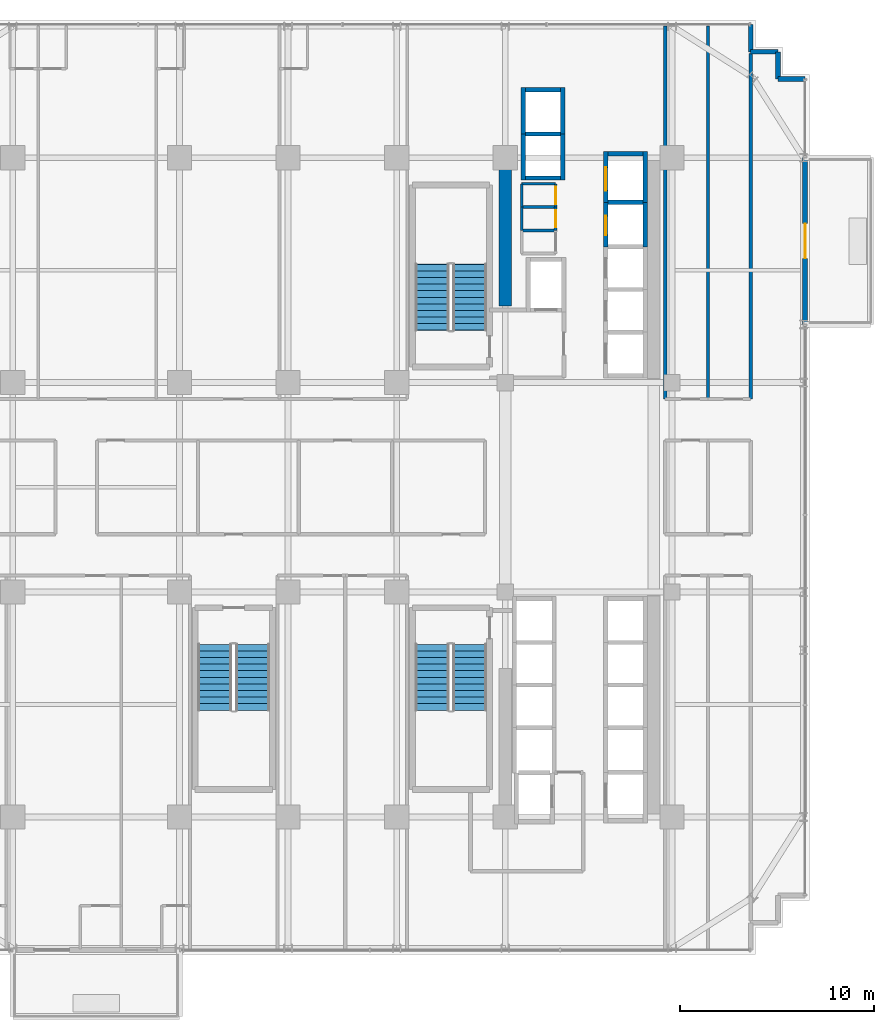
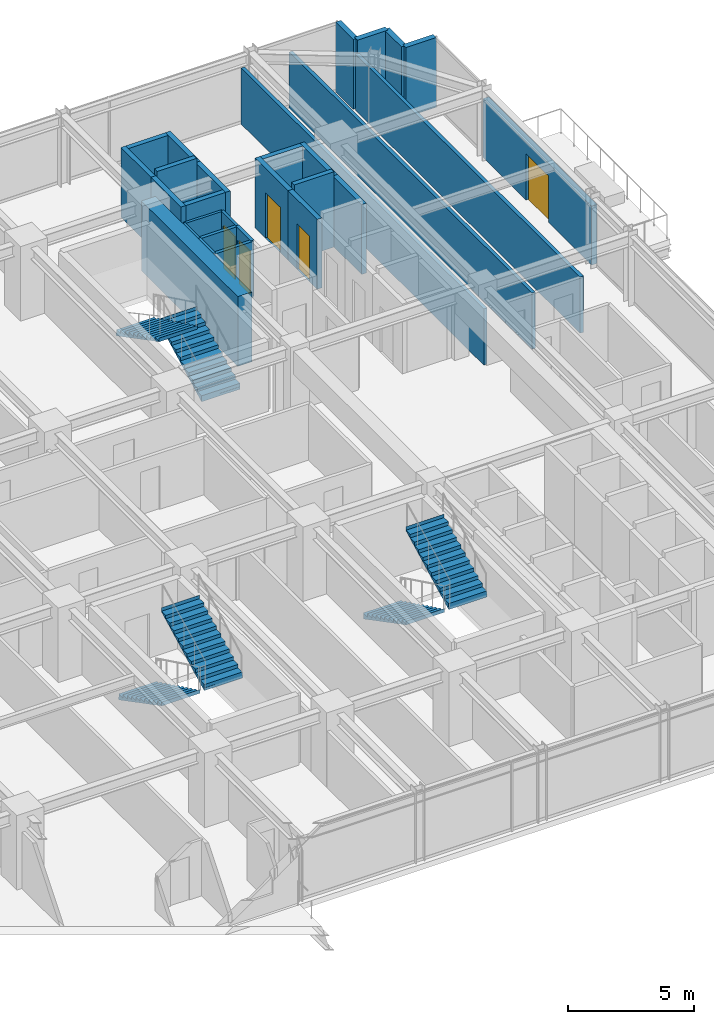
# One storey, part 30 of 33: 29 walls, 6 stair flights, 5 doors, 5 openings, 3 elements without a shape of their own.
"""IFC4 building model written with IfcOpenShell, lengths in metres."""

from ifc_helpers import new_model, si_unit, direction, frame, frame_2d, origin, place, context, subcontext, project, spatial, polyline, rectangle, outline, extrude, source, transform, mapped, material, layer, layer_set, type_object, element, fill, aggregate, save


model = new_model("IFC4")

# Units and contexts
model_context = context("Model", 3, precision=1e-05, world=origin(), true_north=direction((0.0, 1.0)))
body_context = subcontext(model_context, "Body", "Model", "MODEL_VIEW")
ifc_project = project(units=[si_unit("LENGTHUNIT", "METRE"), si_unit("AREAUNIT", "SQUARE_METRE"), si_unit("VOLUMEUNIT", "CUBIC_METRE"), si_unit("PLANEANGLEUNIT", "RADIAN"), si_unit("MASSUNIT", "GRAM", prefix="KILO")], contexts=[model_context])

# Site, building, storey
site_placement = place(None, origin())
site = spatial("IfcSite", under=ifc_project, at=site_placement, CompositionType="ELEMENT")
building_placement = place(site_placement, origin())
building = spatial("IfcBuilding", under=site, at=building_placement, Name="Nahalor Promenade Grand Hotel", CompositionType="ELEMENT")
storey_placement = place(building_placement, frame((0.0, 0.0, 132.10009765625)))
storey = spatial("IfcBuildingStorey", under=building, at=storey_placement, Name="L33", CompositionType="ELEMENT", Elevation=132.10009765625)

# Walls
ifc_material_1 = material(Name="Concrete B-60 (C50/60)", Category="concrete")
ifc_layer_1 = layer(ifc_material_1, 0.64990234375)
ifc_layer_set_1 = layer_set([ifc_layer_1], Name="Concrete B-60 (C50/60)")
wall_type_1 = type_object("IfcWallType", Name="Wall-CoreShear-650", PredefinedType="SHEAR", material=ifc_layer_set_1)
shared_shape_1 = source(origin(), body_context, "Body", "SweptSolid", [
    extrude(rectangle(XDim=7.64990234375, YDim=0.64990234375, at=frame_2d((3.824951171875, 0.0))), origin(), (0.0, 0.0, 1.0), 3.3798828125),
])
wall_1_placement = place(storey_placement, frame((8.39990234375, 9.35009765625, 0.0), z_axis=(0.0, 0.0, 1.0), x_axis=(0.0, 1.0, 0.0)))
element("IfcWall", 1, at=wall_1_placement, inside=storey, type_object=wall_type_1, Name="CWALL-L33-NW", PredefinedType="SHEAR", context=body_context, shape_type="MappedRepresentation", body=[
    mapped(shared_shape_1, transform((0.0, 0.0, 0.0), scale=1.0)),
])
ifc_material_2 = material(Name="Concrete B-50 (C40/50)", Category="concrete")
ifc_layer_2 = layer(ifc_material_2, 0.219970703125)
ifc_layer_set_2 = layer_set([ifc_layer_2], Name="Concrete B-50 (C40/50)")
wall_type_2 = type_object("IfcWallType", Name="Wall-LiftShaft-220", PredefinedType="SHEAR", material=ifc_layer_set_2)
shared_shape_2 = source(origin(), body_context, "Body", "SweptSolid", [
    extrude(rectangle(XDim=1.820068359375, YDim=0.219970703125, at=frame_2d((0.91015625, 0.0))), origin(), (0.0, 0.0, 1.0), 3.64990234375),
])
for number, where, z_axis, x_axis, name in (
    (2, (13.68994140625, 14.699951171875, 0.0), (0.0, 0.0, 1.0), (1.0, 0.0, 0.0), "L33 Lift PL4 Hoistway Wall N"),
    (3, (9.43994140625, 18.22509765625, 0.0), (0.0, 0.0, 1.0), (1.0, 0.0, 0.0), "L33 Lift OB1 Hoistway Wall N"),
):
    element("IfcWall", number, at=place(storey_placement, frame(where, z_axis=z_axis, x_axis=x_axis)), inside=storey, type_object=wall_type_2, Name=name, PredefinedType="SHEAR", context=body_context, shape_type="MappedRepresentation", body=[
        mapped(shared_shape_2, transform((0.0, 0.0, 0.0), scale=1.0)),
    ])
shared_shape_3 = source(origin(), body_context, "Body", "SweptSolid", [
    extrude(rectangle(XDim=1.820068359375, YDim=0.219970703125, at=frame_2d((0.91015625, 0.0))), origin(), (0.0, 0.0, 1.0), 3.3798828125),
])
for number, where, z_axis, x_axis, name in (
    (4, (9.43994140625, 15.949951171875, 0.0), (0.0, 0.0, 1.0), (1.0, 0.0, 0.0), "L33 Lift OB1 Hoistway Wall S"),
    (5, (9.43994140625, 20.5, 0.0), (0.0, 0.0, 1.0), (1.0, 0.0, 0.0), "L33 Lift OB2 Hoistway Wall N"),
    (6, (13.68994140625, 17.199951171875, 0.0), (0.0, 0.0, 1.0), (1.0, 0.0, 0.0), "L33 Lift SV1 Hoistway Wall N"),
):
    element("IfcWall", number, at=place(storey_placement, frame(where, z_axis=z_axis, x_axis=x_axis)), inside=storey, type_object=wall_type_2, Name=name, PredefinedType="SHEAR", context=body_context, shape_type="MappedRepresentation", body=[
        mapped(shared_shape_3, transform((0.0, 0.0, 0.0), scale=1.0)),
    ])

# Wall, opening, door
shared_shape_4 = source(origin(), body_context, "Body", "SweptSolid", [
    extrude(rectangle(XDim=2.300048828125, YDim=0.219970703125, at=frame_2d((1.14990234375, 0.0))), origin(), (0.0, 0.0, 1.0), 3.3798828125),
])
wall_2_placement = place(storey_placement, frame((13.580078125, 12.39990234375, 0.0), z_axis=(0.0, 0.0, 1.0), x_axis=(0.0, 1.0, 0.0)))
wall_2 = element("IfcWall", 7, at=wall_2_placement, inside=storey, type_object=wall_type_2, Name="L33 Lift PL4 Hoistway Wall W", PredefinedType="SHEAR", context=body_context, shape_type="MappedRepresentation", body=[
    mapped(shared_shape_4, transform((0.0, 0.0, 0.0), scale=1.0)),
])
opening_1_placement = place(wall_2_placement, frame((0.60009765625, 0.0, 0.0)))
opening_1 = element("IfcOpeningElement", 8, at=opening_1_placement, cuts=wall_2, Name="Opening LD-01", PredefinedType="OPENING", context=body_context, shape_type="SweptSolid", body=[
    extrude(rectangle(XDim=1.0, YDim=2.199951171875, at=frame_2d((0.5, 1.10009765625))), frame((0.0, 0.119873046875, 0.0), z_axis=(0.0, -1.0, 0.0), x_axis=(1.0, 0.0, 0.0)), (0.0, 0.0, 1.0), 0.239990234375),
])
ifc_material_3 = material(Name="Steel S355JR", Category="steel")
door_type_1 = type_object("IfcDoorType", Name="Door-LiftLanding-1000", OperationType="DOUBLE_DOOR_SLIDING", PredefinedType="DOOR", material=ifc_material_3)
shared_shape_5 = source(origin(), body_context, "Body", "SweptSolid", [
    extrude(rectangle(XDim=1.0, YDim=2.199951171875, at=frame_2d((0.5, 1.10009765625))), frame((0.0, 0.02490234375, 0.0), z_axis=(0.0, -1.0, 0.0), x_axis=(1.0, 0.0, 0.0)), (0.0, 0.0, 1.0), 0.050048828125),
])
door_1_placement = place(opening_1_placement, origin())
door_1 = element("IfcDoor", 9, at=door_1_placement, inside=storey, type_object=door_type_1, Name="DR-LIFT-PL4-L33", OperationType="DOUBLE_DOOR_SLIDING", OverallHeight=2.199951171875, OverallWidth=1.0, PredefinedType="DOOR", context=body_context, shape_type="MappedRepresentation", body=[
    mapped(shared_shape_5, transform((0.0, 0.0, 0.0), scale=1.0)),
])
fill(opening_1, door_1)

# Walls
wall_3_placement = place(storey_placement, frame((15.6201171875, 12.39990234375, 0.0), z_axis=(0.0, 0.0, 1.0), x_axis=(0.0, 1.0, 0.0)))
element("IfcWall", 10, at=wall_3_placement, inside=storey, type_object=wall_type_2, Name="L33 Lift PL4 Hoistway Wall E", PredefinedType="SHEAR", context=body_context, shape_type="MappedRepresentation", body=[
    mapped(shared_shape_4, transform((0.0, 0.0, 0.0), scale=1.0)),
])
shared_shape_6 = source(origin(), body_context, "Body", "SweptSolid", [
    extrude(rectangle(XDim=2.385009765625, YDim=0.219970703125, at=frame_2d((1.1923828125, 0.0))), origin(), (0.0, 0.0, 1.0), 3.3798828125),
])
for number, where, z_axis, x_axis, name in (
    (11, (9.330078125, 15.840087890625, 0.0), (0.0, 0.0, 1.0), (0.0, 1.0, 0.0), "L33 Lift OB1 Hoistway Wall W"),
    (12, (11.3701171875, 15.840087890625, 0.0), (0.0, 0.0, 1.0), (0.0, 1.0, 0.0), "L33 Lift OB1 Hoistway Wall E"),
    (13, (9.330078125, 18.22509765625, 0.0), (0.0, 0.0, 1.0), (0.0, 1.0, 0.0), "L33 Lift OB2 Hoistway Wall W"),
    (14, (11.3701171875, 18.22509765625, 0.0), (0.0, 0.0, 1.0), (0.0, 1.0, 0.0), "L33 Lift OB2 Hoistway Wall E"),
):
    element("IfcWall", number, at=place(storey_placement, frame(where, z_axis=z_axis, x_axis=x_axis)), inside=storey, type_object=wall_type_2, Name=name, PredefinedType="SHEAR", context=body_context, shape_type="MappedRepresentation", body=[
        mapped(shared_shape_6, transform((0.0, 0.0, 0.0), scale=1.0)),
    ])

# Wall, opening, door
shared_shape_7 = source(origin(), body_context, "Body", "SweptSolid", [
    extrude(rectangle(XDim=2.610107421875, YDim=0.219970703125, at=frame_2d((1.30517578125, 0.0))), origin(), (0.0, 0.0, 1.0), 3.3798828125),
])
wall_4_placement = place(storey_placement, frame((13.580078125, 14.699951171875, 0.0), z_axis=(0.0, 0.0, 1.0), x_axis=(0.0, 1.0, 0.0)))
wall_4 = element("IfcWall", 15, at=wall_4_placement, inside=storey, type_object=wall_type_2, Name="L33 Lift SV1 Hoistway Wall W", PredefinedType="SHEAR", context=body_context, shape_type="MappedRepresentation", body=[
    mapped(shared_shape_7, transform((0.0, 0.0, 0.0), scale=1.0)),
])
opening_2_placement = place(wall_4_placement, frame((0.60009765625, 0.0, 0.0)))
opening_2 = element("IfcOpeningElement", 16, at=opening_2_placement, cuts=wall_4, Name="Opening LD-03", PredefinedType="OPENING", context=body_context, shape_type="SweptSolid", body=[
    extrude(rectangle(XDim=1.199951171875, YDim=2.199951171875, at=frame_2d((0.60009765625, 1.10009765625))), frame((0.0, 0.119873046875, 0.0), z_axis=(0.0, -1.0, 0.0), x_axis=(1.0, 0.0, 0.0)), (0.0, 0.0, 1.0), 0.239990234375),
])
door_type_2 = type_object("IfcDoorType", Name="Door-LiftService-1200", OperationType="DOUBLE_DOOR_SLIDING", PredefinedType="DOOR", material=ifc_material_3)
shared_shape_8 = source(origin(), body_context, "Body", "SweptSolid", [
    extrude(rectangle(XDim=1.199951171875, YDim=2.199951171875, at=frame_2d((0.60009765625, 1.10009765625))), frame((0.0, 0.02490234375, 0.0), z_axis=(0.0, -1.0, 0.0), x_axis=(1.0, 0.0, 0.0)), (0.0, 0.0, 1.0), 0.050048828125),
])
door_2_placement = place(opening_2_placement, origin())
door_2 = element("IfcDoor", 17, at=door_2_placement, inside=storey, type_object=door_type_2, Name="DR-LIFT-SV1-L33", OperationType="DOUBLE_DOOR_SLIDING", OverallHeight=2.199951171875, OverallWidth=1.199951171875, PredefinedType="DOOR", context=body_context, shape_type="MappedRepresentation", body=[
    mapped(shared_shape_8, transform((0.0, 0.0, 0.0), scale=1.0)),
])
fill(opening_2, door_2)

# Walls
wall_5_placement = place(storey_placement, frame((15.6201171875, 14.699951171875, 0.0), z_axis=(0.0, 0.0, 1.0), x_axis=(0.0, 1.0, 0.0)))
element("IfcWall", 18, at=wall_5_placement, inside=storey, type_object=wall_type_2, Name="L33 Lift SV1 Hoistway Wall E", PredefinedType="SHEAR", context=body_context, shape_type="MappedRepresentation", body=[
    mapped(shared_shape_7, transform((0.0, 0.0, 0.0), scale=1.0)),
])
ifc_material_4 = material(Name="Concrete B-40 (C32/40)", Category="concrete")
ifc_layer_3 = layer(ifc_material_4, 0.25)
ifc_layer_set_3 = layer_set([ifc_layer_3], Name="Concrete B-40 (C32/40)")
wall_type_3 = type_object("IfcWallType", Name="Wall-BronzePier-250", PredefinedType="STANDARD", material=ifc_layer_set_3)
shared_shape_9 = source(origin(), body_context, "Body", "SweptSolid", [
    extrude(rectangle(XDim=1.400146484375, YDim=0.25, at=frame_2d((0.7001953125, 0.0))), origin(), (0.0, 0.0, 1.0), 3.3798828125),
])
for number, where, z_axis, x_axis, name in (
    (19, (22.4599609375, 21.06005859375, 0.0), (0.0, 0.0, 1.0), (1.0, 0.0, 0.0), "W-L33-SR-05"),
    (20, (21.06005859375, 22.4599609375, 0.0), (0.0, 0.0, 1.0), (0.0, 1.0, 0.0), "W-L33-SR-08"),
):
    element("IfcWall", number, at=place(storey_placement, frame(where, z_axis=z_axis, x_axis=x_axis)), inside=storey, type_object=wall_type_3, Name=name, PredefinedType="STANDARD", context=body_context, shape_type="MappedRepresentation", body=[
        mapped(shared_shape_9, transform((0.0, 0.0, 0.0), scale=1.0)),
    ])
shared_shape_10 = source(origin(), body_context, "Body", "SweptSolid", [
    extrude(rectangle(XDim=1.39990234375, YDim=0.25, at=frame_2d((0.699951171875, 0.0))), origin(), (0.0, 0.0, 1.0), 3.3798828125),
])
for number, where, z_axis, x_axis, name in (
    (21, (22.4599609375, 21.06005859375, 0.0), (0.0, 0.0, 1.0), (0.0, 1.0, 0.0), "W-L33-SR-06"),
    (22, (21.06005859375, 22.4599609375, 0.0), (0.0, 0.0, 1.0), (1.0, 0.0, 0.0), "W-L33-SR-07"),
):
    element("IfcWall", number, at=place(storey_placement, frame(where, z_axis=z_axis, x_axis=x_axis)), inside=storey, type_object=wall_type_3, Name=name, PredefinedType="STANDARD", context=body_context, shape_type="MappedRepresentation", body=[
        mapped(shared_shape_10, transform((0.0, 0.0, 0.0), scale=1.0)),
    ])

# Wall, opening, door
ifc_layer_4 = layer(ifc_material_4, 0.260009765625)
ifc_layer_set_4 = layer_set([ifc_layer_4], Name="Concrete B-40 (C32/40)")
wall_type_4 = type_object("IfcWallType", Name="Wall-BalconyWall-260", PredefinedType="STANDARD", material=ifc_layer_set_4)
shared_shape_11 = source(origin(), body_context, "Body", "SweptSolid", [
    extrude(rectangle(XDim=8.60009765625, YDim=0.260009765625, at=frame_2d((4.300048828125, 0.0))), origin(), (0.0, 0.0, 1.0), 2.85986328125),
])
wall_6_placement = place(storey_placement, frame((23.860107421875, 8.39990234375, 0.0), z_axis=(0.0, 0.0, 1.0), x_axis=(0.0, 1.0, 0.0)))
wall_6 = element("IfcWall", 23, at=wall_6_placement, inside=storey, type_object=wall_type_4, Name="W-L33-BALC-E-2", PredefinedType="STANDARD", context=body_context, shape_type="MappedRepresentation", body=[
    mapped(shared_shape_11, transform((0.0, 0.0, 0.0), scale=1.0)),
])
opening_3_placement = place(wall_6_placement, frame((3.39990234375, 0.0, 0.0)))
opening_3 = element("IfcOpeningElement", 24, at=opening_3_placement, cuts=wall_6, Name="Opening D-BC1", PredefinedType="OPENING", context=body_context, shape_type="SweptSolid", body=[
    extrude(rectangle(XDim=1.800048828125, YDim=2.25, at=frame_2d((0.89990234375, 1.125))), frame((0.0, 0.139892578125, 0.0), z_axis=(0.0, -1.0, 0.0), x_axis=(1.0, 0.0, 0.0)), (0.0, 0.0, 1.0), 0.280029296875),
])
ifc_material_5 = material(Name="Anodised Bronze Aluminium EN AW-6063 T6", Category="aluminium")
door_type_3 = type_object("IfcDoorType", Name="Door-BalconySlide-1800", OperationType="DOUBLE_DOOR_SLIDING", PredefinedType="DOOR", material=ifc_material_5)
shared_shape_12 = source(origin(), body_context, "Body", "SweptSolid", [
    extrude(rectangle(XDim=1.800048828125, YDim=2.25, at=frame_2d((0.89990234375, 1.125))), frame((0.0, 0.02490234375, 0.0), z_axis=(0.0, -1.0, 0.0), x_axis=(1.0, 0.0, 0.0)), (0.0, 0.0, 1.0), 0.050048828125),
])
door_3_placement = place(opening_3_placement, frame((1.800048828125, 0.0, 0.0), z_axis=(0.0, 0.0, 1.0), x_axis=(-1.0, 0.0, 0.0)))
door_3 = element("IfcDoor", 25, at=door_3_placement, inside=storey, type_object=door_type_3, Name="DR-L33-BALC-E-2", OperationType="DOUBLE_DOOR_SLIDING", OverallHeight=2.25, OverallWidth=1.800048828125, PredefinedType="DOOR", context=body_context, shape_type="MappedRepresentation", body=[
    mapped(shared_shape_12, transform((0.0, 0.0, 0.0), scale=1.0)),
])
fill(opening_3, door_3)

# Walls
ifc_material_6 = material(Name="Acoustic Mineral Gypsum", Category="gypsum")
ifc_layer_5 = layer(ifc_material_6, 0.14990234375)
ifc_layer_set_5 = layer_set([ifc_layer_5], Name="Acoustic Mineral Gypsum")
wall_type_5 = type_object("IfcWallType", Name="Wall-PartService-150", PredefinedType="PARTITIONING", material=ifc_layer_set_5)
shared_shape_13 = source(origin(), body_context, "Body", "SweptSolid", [
    extrude(rectangle(XDim=1.75, YDim=0.14990234375, at=frame_2d((0.875, 0.0))), origin(), (0.0, 0.0, 1.0), 2.719970703125),
])
for number, where, z_axis, x_axis, name in (
    (26, (9.25, 13.25, 0.0), (0.0, 0.0, 1.0), (1.0, 0.0, 0.0), "W-L33-CK3A-N"),
    (27, (9.25, 14.449951171875, 0.0), (0.0, 0.0, 1.0), (1.0, 0.0, 0.0), "W-L33-CK3B-N"),
):
    element("IfcWall", number, at=place(storey_placement, frame(where, z_axis=z_axis, x_axis=x_axis)), inside=storey, type_object=wall_type_5, Name=name, PredefinedType="PARTITIONING", context=body_context, shape_type="MappedRepresentation", body=[
        mapped(shared_shape_13, transform((0.0, 0.0, 0.0), scale=1.0)),
    ])
shared_shape_14 = source(origin(), body_context, "Body", "SweptSolid", [
    extrude(rectangle(XDim=1.199951171875, YDim=0.14990234375, at=frame_2d((0.60009765625, 0.0))), origin(), (0.0, 0.0, 1.0), 2.719970703125),
])
wall_7_placement = place(storey_placement, frame((9.25, 13.25, 0.0), z_axis=(0.0, 0.0, 1.0), x_axis=(0.0, 1.0, 0.0)))
element("IfcWall", 28, at=wall_7_placement, inside=storey, type_object=wall_type_5, Name="W-L33-CK3B-W", PredefinedType="PARTITIONING", context=body_context, shape_type="MappedRepresentation", body=[
    mapped(shared_shape_14, transform((0.0, 0.0, 0.0), scale=1.0)),
])

# Wall, opening, door
wall_8_placement = place(storey_placement, frame((11.0, 13.25, 0.0), z_axis=(0.0, 0.0, 1.0), x_axis=(0.0, 1.0, 0.0)))
wall_8 = element("IfcWall", 29, at=wall_8_placement, inside=storey, type_object=wall_type_5, Name="W-L33-CK3B-E", PredefinedType="PARTITIONING", context=body_context, shape_type="MappedRepresentation", body=[
    mapped(shared_shape_14, transform((0.0, 0.0, 0.0), scale=1.0)),
])
opening_4_placement = place(wall_8_placement, frame((0.159912109375, 0.0, 0.0)))
opening_4 = element("IfcOpeningElement", 30, at=opening_4_placement, cuts=wall_8, Name="Opening D-03", PredefinedType="OPENING", context=body_context, shape_type="SweptSolid", body=[
    extrude(rectangle(XDim=0.8798828125, YDim=2.10009765625, at=frame_2d((0.43994140625, 1.050048828125))), frame((0.0, 0.0849609375, 0.0), z_axis=(0.0, -1.0, 0.0), x_axis=(1.0, 0.0, 0.0)), (0.0, 0.0, 1.0), 0.169921875),
])
ifc_material_7 = material(Name="Fire-Rated Timber Composite", Category="wood")
door_type_4 = type_object("IfcDoorType", Name="Door-BathSwing-880", OperationType="NOTDEFINED", PredefinedType="DOOR", material=ifc_material_7)
shared_shape_15 = source(origin(), body_context, "Body", "SweptSolid", [
    extrude(rectangle(XDim=0.8798828125, YDim=2.10009765625, at=frame_2d((0.43994140625, 1.050048828125))), frame((0.0, 0.02490234375, 0.0), z_axis=(0.0, -1.0, 0.0), x_axis=(1.0, 0.0, 0.0)), (0.0, 0.0, 1.0), 0.050048828125),
])
door_4_placement = place(opening_4_placement, origin())
door_4 = element("IfcDoor", 31, at=door_4_placement, inside=storey, type_object=door_type_4, Name="DR-L33-CK3B", OperationType="SINGLE_SWING_LEFT", OverallHeight=2.10009765625, OverallWidth=0.8798828125, PredefinedType="DOOR", context=body_context, shape_type="MappedRepresentation", body=[
    mapped(shared_shape_15, transform((0.0, 0.0, 0.0), scale=1.0)),
])
fill(opening_4, door_4)

# Walls
ifc_layer_6 = layer(ifc_material_6, 0.1201171875)
ifc_layer_set_6 = layer_set([ifc_layer_6], Name="Acoustic Mineral Gypsum")
wall_type_6 = type_object("IfcWallType", Name="Wall-PartBath-120", PredefinedType="PARTITIONING", material=ifc_layer_set_6)
shared_shape_16 = source(origin(), body_context, "Body", "SweptSolid", [
    extrude(rectangle(XDim=1.75, YDim=0.1201171875, at=frame_2d((0.875, 0.0))), origin(), (0.0, 0.0, 1.0), 2.719970703125),
])
wall_9_placement = place(storey_placement, frame((9.25, 15.64990234375, 0.0), z_axis=(0.0, 0.0, 1.0), x_axis=(1.0, 0.0, 0.0)))
element("IfcWall", 32, at=wall_9_placement, inside=storey, type_object=wall_type_6, Name="W-L33-CK3C-N", PredefinedType="PARTITIONING", context=body_context, shape_type="MappedRepresentation", body=[
    mapped(shared_shape_16, transform((0.0, 0.0, 0.0), scale=1.0)),
])
shared_shape_17 = source(origin(), body_context, "Body", "SweptSolid", [
    extrude(rectangle(XDim=1.199951171875, YDim=0.1201171875, at=frame_2d((0.60009765625, 0.0))), origin(), (0.0, 0.0, 1.0), 2.719970703125),
])
wall_10_placement = place(storey_placement, frame((9.25, 14.449951171875, 0.0), z_axis=(0.0, 0.0, 1.0), x_axis=(0.0, 1.0, 0.0)))
element("IfcWall", 33, at=wall_10_placement, inside=storey, type_object=wall_type_6, Name="W-L33-CK3C-W", PredefinedType="PARTITIONING", context=body_context, shape_type="MappedRepresentation", body=[
    mapped(shared_shape_17, transform((0.0, 0.0, 0.0), scale=1.0)),
])

# Wall, opening, door
wall_11_placement = place(storey_placement, frame((11.0, 14.449951171875, 0.0), z_axis=(0.0, 0.0, 1.0), x_axis=(0.0, 1.0, 0.0)))
wall_11 = element("IfcWall", 34, at=wall_11_placement, inside=storey, type_object=wall_type_6, Name="W-L33-CK3C-E", PredefinedType="PARTITIONING", context=body_context, shape_type="MappedRepresentation", body=[
    mapped(shared_shape_17, transform((0.0, 0.0, 0.0), scale=1.0)),
])
opening_5_placement = place(wall_11_placement, frame((0.159912109375, 0.0, 0.0)))
opening_5 = element("IfcOpeningElement", 35, at=opening_5_placement, cuts=wall_11, Name="Opening D-03", PredefinedType="OPENING", context=body_context, shape_type="SweptSolid", body=[
    extrude(rectangle(XDim=0.8798828125, YDim=2.10009765625, at=frame_2d((0.43994140625, 1.050048828125))), frame((0.0, 0.070068359375, 0.0), z_axis=(0.0, -1.0, 0.0), x_axis=(1.0, 0.0, 0.0)), (0.0, 0.0, 1.0), 0.14013671875),
])
door_5_placement = place(opening_5_placement, origin())
door_5 = element("IfcDoor", 36, at=door_5_placement, inside=storey, type_object=door_type_4, Name="DR-L33-CK3C", OperationType="SINGLE_SWING_RIGHT", OverallHeight=2.10009765625, OverallWidth=0.8798828125, PredefinedType="DOOR", context=body_context, shape_type="MappedRepresentation", body=[
    mapped(shared_shape_15, transform((0.0, 0.0, 0.0), scale=1.0)),
])
fill(opening_5, door_5)

# Walls
ifc_layer_7 = layer(ifc_material_6, 0.159912109375)
ifc_layer_set_7 = layer_set([ifc_layer_7], Name="Acoustic Mineral Gypsum")
wall_type_7 = type_object("IfcWallType", Name="Wall-PartCorridor-160", PredefinedType="PARTITIONING", material=ifc_layer_set_7)
shared_shape_18 = source(origin(), body_context, "Body", "SweptSolid", [
    extrude(rectangle(XDim=19.25, YDim=0.159912109375, at=frame_2d((9.625, 0.0))), origin(), (0.0, 0.0, 1.0), 2.719970703125),
])
for number, where, z_axis, x_axis, name in (
    (37, (16.64990234375, 4.550048828125, 0.0), (0.0, 0.0, 1.0), (0.0, 1.0, 0.0), "W-L33-ENE1-W"),
    (38, (18.85498046875, 4.550048828125, 0.0), (0.0, 0.0, 1.0), (0.0, 1.0, 0.0), "W-L33-ENE1-E"),
):
    element("IfcWall", number, at=place(storey_placement, frame(where, z_axis=z_axis, x_axis=x_axis)), inside=storey, type_object=wall_type_7, Name=name, PredefinedType="PARTITIONING", context=body_context, shape_type="MappedRepresentation", body=[
        mapped(shared_shape_18, transform((0.0, 0.0, 0.0), scale=1.0)),
    ])
shared_shape_19 = source(origin(), body_context, "Body", "SweptSolid", [
    extrude(rectangle(XDim=17.829833984375, YDim=0.159912109375, at=frame_2d((8.9150390625, 0.0))), origin(), (0.0, 0.0, 1.0), 2.719970703125),
])
wall_12_placement = place(storey_placement, frame((21.06005859375, 4.550048828125, 0.0), z_axis=(0.0, 0.0, 1.0), x_axis=(0.0, 1.0, 0.0)))
element("IfcWall", 39, at=wall_12_placement, inside=storey, type_object=wall_type_7, Name="W-L33-ENE2-E", PredefinedType="PARTITIONING", context=body_context, shape_type="MappedRepresentation", body=[
    mapped(shared_shape_19, transform((0.0, 0.0, 0.0), scale=1.0)),
])

# Stair, stair flights
stair_type_1 = type_object("IfcStairType", Name="Stair-ST1", PredefinedType="HALF_TURN_STAIR", material=ifc_material_2)
stair_1_placement = place(storey_placement, origin())
stair_1 = element("IfcStair", 40, at=stair_1_placement, inside=storey, type_object=stair_type_1, Name="L33 ST1", PredefinedType="HALF_TURN_STAIR")
ifc_layer_8 = layer(ifc_material_2, 0.179931640625)
ifc_layer_set_8 = layer_set([ifc_layer_8], Name="Concrete B-50 (C40/50)")
stair_flight_type_1 = type_object("IfcStairFlightType", Name="Flight-ST1", PredefinedType="STRAIGHT", material=ifc_layer_set_8)
shared_shape_20 = source(origin(), body_context, "Body", "SweptSolid", [
    extrude(outline(polyline([(-0.00390625, -0.1201171875), (-0.00390625, 0.0), (0.0, 0.0), (0.0, 0.166015625), (0.340087890625, 0.166015625), (0.340087890625, 0.331787109375), (0.679931640625, 0.331787109375), (0.679931640625, 0.497802734375), (1.02001953125, 0.497802734375), (1.02001953125, 0.66357421875), (1.360107421875, 0.66357421875), (1.360107421875, 0.82958984375), (1.699951171875, 0.82958984375), (1.699951171875, 0.995361328125), (2.0400390625, 0.995361328125), (2.0400390625, 1.161376953125), (2.3798828125, 1.161376953125), (2.3798828125, 1.327392578125), (2.719970703125, 1.327392578125), (2.719970703125, 1.4931640625), (3.06005859375, 1.4931640625), (3.06005859375, 1.6591796875), (3.39990234375, 1.6591796875), (3.39990234375, 1.824951171875), (3.404052734375, 1.824951171875), (3.404052734375, 1.64501953125), (0.02001953125, -0.1201171875), (-0.00390625, -0.1201171875)])), frame((0.0, 0.875, 0.0), z_axis=(0.0, -1.0, 0.0), x_axis=(1.0, 0.0, 0.0)), (0.0, 0.0, 1.0), 1.75),
])
stair_flight_1_placement = place(storey_placement, frame((6.574951171875, 8.10009765625, 0.0), z_axis=(0.0, 0.0, 1.0), x_axis=(0.0, 1.0, 0.0)))
stair_flight_1 = element("IfcStairFlight", 41, at=stair_flight_1_placement, type_object=stair_flight_type_1, Name="ST1 flight 1", NumberOfRisers=11, NumberOfTreads=10, PredefinedType="STRAIGHT", RiserHeight=0.165909091, TreadLength=0.34, context=body_context, shape_type="MappedRepresentation", body=[
    mapped(shared_shape_20, transform((0.0, 0.0, 0.0), scale=1.0)),
])
stair_flight_2_placement = place(storey_placement, frame((4.625, 11.5, 1.824951171875), z_axis=(0.0, 0.0, 1.0), x_axis=(0.0, -1.0, 0.0)))
stair_flight_2 = element("IfcStairFlight", 42, at=stair_flight_2_placement, type_object=stair_flight_type_1, Name="ST1 flight 2", NumberOfRisers=11, NumberOfTreads=10, PredefinedType="STRAIGHT", RiserHeight=0.165909091, TreadLength=0.34, context=body_context, shape_type="MappedRepresentation", body=[
    mapped(shared_shape_20, transform((0.0, 0.0, 0.0), scale=1.0)),
])
aggregate(stair_1, [stair_flight_1, stair_flight_2])

stair_type_2 = type_object("IfcStairType", Name="Stair-ST2", PredefinedType="HALF_TURN_STAIR", material=ifc_material_2)
stair_2_placement = place(storey_placement, origin())
stair_2 = element("IfcStair", 43, at=stair_2_placement, inside=storey, type_object=stair_type_2, Name="L33 ST2", PredefinedType="HALF_TURN_STAIR")
ifc_layer_9 = layer(ifc_material_2, 0.18994140625)
ifc_layer_set_9 = layer_set([ifc_layer_9], Name="Concrete B-50 (C40/50)")
stair_flight_type_2 = type_object("IfcStairFlightType", Name="Flight-ST2", PredefinedType="STRAIGHT", material=ifc_layer_set_9)
shared_shape_21 = source(origin(), body_context, "Body", "SweptSolid", [
    extrude(outline(polyline([(-0.00390625, -0.1201171875), (-0.00390625, 0.0), (0.0, 0.0), (0.0, 0.166015625), (0.340087890625, 0.166015625), (0.340087890625, 0.331787109375), (0.679931640625, 0.331787109375), (0.679931640625, 0.497802734375), (1.02001953125, 0.497802734375), (1.02001953125, 0.66357421875), (1.360107421875, 0.66357421875), (1.360107421875, 0.82958984375), (1.699951171875, 0.82958984375), (1.699951171875, 0.995361328125), (2.0400390625, 0.995361328125), (2.0400390625, 1.161376953125), (2.3798828125, 1.161376953125), (2.3798828125, 1.327392578125), (2.719970703125, 1.327392578125), (2.719970703125, 1.4931640625), (3.06005859375, 1.4931640625), (3.06005859375, 1.6591796875), (3.39990234375, 1.6591796875), (3.39990234375, 1.824951171875), (3.404052734375, 1.824951171875), (3.404052734375, 1.64501953125), (0.02001953125, -0.1201171875), (-0.00390625, -0.1201171875)])), frame((0.0, 0.875, 0.0), z_axis=(0.0, -1.0, 0.0), x_axis=(1.0, 0.0, 0.0)), (0.0, 0.0, 1.0), 1.75),
])
stair_flight_3_placement = place(storey_placement, frame((4.625, -8.10009765625, 0.0), z_axis=(0.0, 0.0, 1.0), x_axis=(0.0, -1.0, 0.0)))
stair_flight_3 = element("IfcStairFlight", 44, at=stair_flight_3_placement, type_object=stair_flight_type_2, Name="ST2 flight 1", NumberOfRisers=11, NumberOfTreads=10, PredefinedType="STRAIGHT", RiserHeight=0.165909091, TreadLength=0.34, context=body_context, shape_type="MappedRepresentation", body=[
    mapped(shared_shape_21, transform((0.0, 0.0, 0.0), scale=1.0)),
])
stair_flight_4_placement = place(storey_placement, frame((6.574951171875, -11.5, 1.824951171875), z_axis=(0.0, 0.0, 1.0), x_axis=(0.0, 1.0, 0.0)))
stair_flight_4 = element("IfcStairFlight", 45, at=stair_flight_4_placement, type_object=stair_flight_type_2, Name="ST2 flight 2", NumberOfRisers=11, NumberOfTreads=10, PredefinedType="STRAIGHT", RiserHeight=0.165909091, TreadLength=0.34, context=body_context, shape_type="MappedRepresentation", body=[
    mapped(shared_shape_21, transform((0.0, 0.0, 0.0), scale=1.0)),
])
aggregate(stair_2, [stair_flight_3, stair_flight_4])

stair_type_3 = type_object("IfcStairType", Name="Stair-ST3", PredefinedType="HALF_TURN_STAIR", material=ifc_material_2)
stair_3_placement = place(storey_placement, origin())
stair_3 = element("IfcStair", 46, at=stair_3_placement, inside=storey, type_object=stair_type_3, Name="L33 ST3", PredefinedType="HALF_TURN_STAIR")
ifc_layer_10 = layer(ifc_material_2, 0.199951171875)
ifc_layer_set_10 = layer_set([ifc_layer_10], Name="Concrete B-50 (C40/50)")
stair_flight_type_3 = type_object("IfcStairFlightType", Name="Flight-ST3", PredefinedType="STRAIGHT", material=ifc_layer_set_10)
shared_shape_22 = source(origin(), body_context, "Body", "SweptSolid", [
    extrude(outline(polyline([(-0.00390625, -0.1201171875), (-0.00390625, 0.0), (0.0, 0.0), (0.0, 0.166015625), (0.340087890625, 0.166015625), (0.340087890625, 0.331787109375), (0.679931640625, 0.331787109375), (0.679931640625, 0.497802734375), (1.02001953125, 0.497802734375), (1.02001953125, 0.66357421875), (1.360107421875, 0.66357421875), (1.360107421875, 0.82958984375), (1.699951171875, 0.82958984375), (1.699951171875, 0.995361328125), (2.0400390625, 0.995361328125), (2.0400390625, 1.161376953125), (2.3798828125, 1.161376953125), (2.3798828125, 1.327392578125), (2.719970703125, 1.327392578125), (2.719970703125, 1.4931640625), (3.06005859375, 1.4931640625), (3.06005859375, 1.6591796875), (3.39990234375, 1.6591796875), (3.39990234375, 1.824951171875), (3.404052734375, 1.824951171875), (3.404052734375, 1.64501953125), (0.02001953125, -0.1201171875), (-0.00390625, -0.1201171875)])), frame((0.0, 0.875, 0.0), z_axis=(0.0, -1.0, 0.0), x_axis=(1.0, 0.0, 0.0)), (0.0, 0.0, 1.0), 1.75),
])
stair_flight_5_placement = place(storey_placement, frame((-6.574951171875, -8.10009765625, 0.0), z_axis=(0.0, 0.0, 1.0), x_axis=(0.0, -1.0, 0.0)))
stair_flight_5 = element("IfcStairFlight", 47, at=stair_flight_5_placement, type_object=stair_flight_type_3, Name="ST3 flight 1", NumberOfRisers=11, NumberOfTreads=10, PredefinedType="STRAIGHT", RiserHeight=0.165909091, TreadLength=0.34, context=body_context, shape_type="MappedRepresentation", body=[
    mapped(shared_shape_22, transform((0.0, 0.0, 0.0), scale=1.0)),
])
stair_flight_6_placement = place(storey_placement, frame((-4.625, -11.5, 1.824951171875), z_axis=(0.0, 0.0, 1.0), x_axis=(0.0, 1.0, 0.0)))
stair_flight_6 = element("IfcStairFlight", 48, at=stair_flight_6_placement, type_object=stair_flight_type_3, Name="ST3 flight 2", NumberOfRisers=11, NumberOfTreads=10, PredefinedType="STRAIGHT", RiserHeight=0.165909091, TreadLength=0.34, context=body_context, shape_type="MappedRepresentation", body=[
    mapped(shared_shape_22, transform((0.0, 0.0, 0.0), scale=1.0)),
])
aggregate(stair_3, [stair_flight_5, stair_flight_6])

save(model, "model.ifc")
